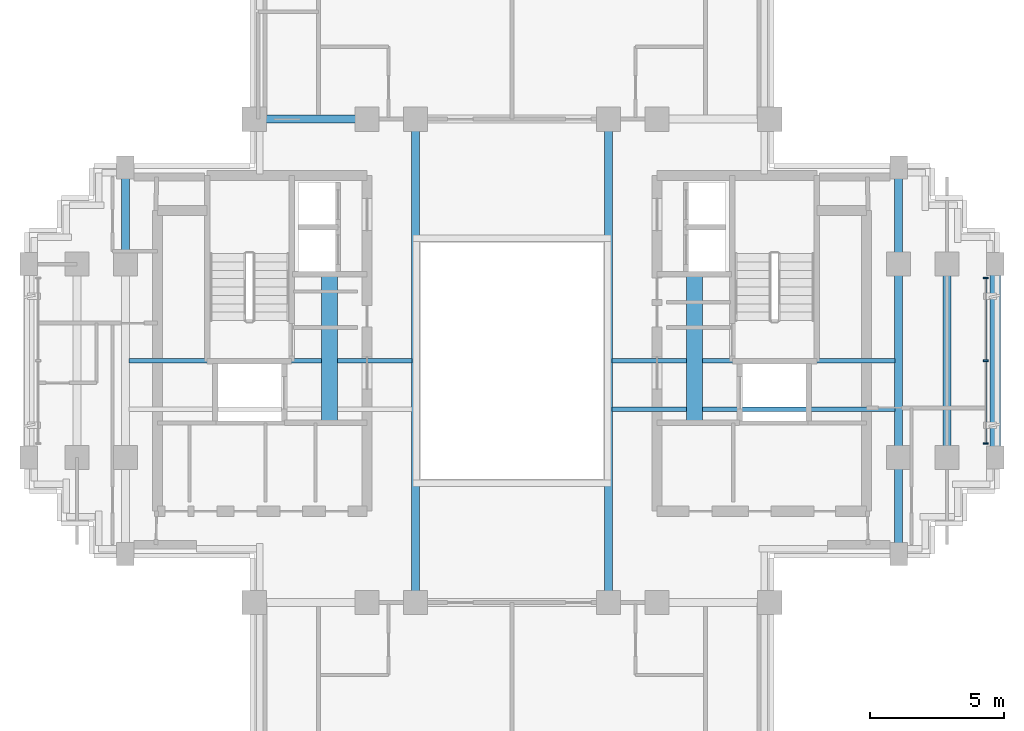
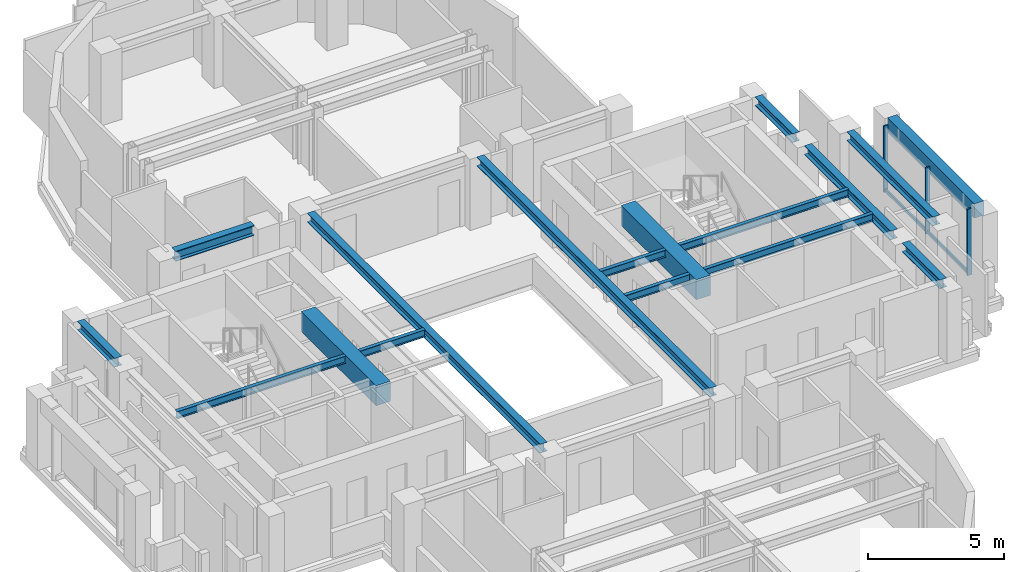
# One storey, part 3 of 12: 14 beams, 5 members, 1 element without a shape of its own.
"""IFC4 building model written with IfcOpenShell, lengths in metres."""

from ifc_helpers import new_model, si_unit, direction, frame, origin, origin_2d, place, context, subcontext, project, spatial, rectangle, i_section, extrude, source, transform, mapped, material, material_profile, profile_set, type_object, element, aggregate, save


model = new_model("IFC4")

# Units and contexts
model_context = context("Model", 3, precision=1e-05, world=origin(), true_north=direction((0.0, 1.0)))
body_context = subcontext(model_context, "Body", "Model", "MODEL_VIEW")
ifc_project = project(units=[si_unit("LENGTHUNIT", "METRE"), si_unit("AREAUNIT", "SQUARE_METRE"), si_unit("VOLUMEUNIT", "CUBIC_METRE"), si_unit("PLANEANGLEUNIT", "RADIAN"), si_unit("MASSUNIT", "GRAM", prefix="KILO")], contexts=[model_context])

# Site, building, storey
site_placement = place(None, origin())
site = spatial("IfcSite", under=ifc_project, at=site_placement, CompositionType="ELEMENT")
building_placement = place(site_placement, origin())
building = spatial("IfcBuilding", under=site, at=building_placement, Name="Keilestroom Media Tower", CompositionType="ELEMENT")
storey_placement = place(building_placement, frame((0.0, 0.0, 191.0)))
storey = spatial("IfcBuildingStorey", under=building, at=storey_placement, Name="L52", CompositionType="ELEMENT", Elevation=191.0)

# Beams
ifc_material_1 = material(Name="Concrete C70/85", Category="concrete")
ifc_material_profile_1 = material_profile(ifc_material_1, rectangle(XDim=0.60009765625, YDim=0.89990234375, at=origin_2d()), Name="RC 600x900")
ifc_profile_set_1 = profile_set([ifc_material_profile_1], Name="Concrete C70/85")
beam_type_1 = type_object("IfcBeamType", Name="Core-Coupling-Lintel-Beam-RC-600x900", PredefinedType="LINTEL", material=ifc_profile_set_1)
shared_shape_1 = source(origin(), body_context, "Body", "SweptSolid", [
    extrude(rectangle(XDim=0.60009765625, YDim=0.89990234375, at=origin_2d()), origin(), (0.0, 0.0, 1.0), 5.52001953125),
])
for number, where, z_axis, x_axis, name in (
    (1, (-6.800048828125, -2.300048828125, 2.75), (0.0, 1.0, 0.0), (-1.0, 0.0, 0.0), "L52 Beam CLB-1 CLB-L52-W"),
    (2, (6.800048828125, -2.300048828125, 2.75), (0.0, 1.0, 0.0), (-1.0, 0.0, 0.0), "L52 Beam CLB-1 CLB-L52-E"),
):
    element("IfcBeam", number, at=place(storey_placement, frame(where, z_axis=z_axis, x_axis=x_axis)), inside=storey, type_object=beam_type_1, Name=name, PredefinedType="LINTEL", context=body_context, shape_type="MappedRepresentation", body=[
        mapped(shared_shape_1, transform((0.0, 0.0, 0.0), x_axis=(1.0, 0.0, 0.0), y_axis=(0.0, 1.0, 0.0), z_axis=(0.0, 0.0, 1.0), scale=1.0)),
    ])
ifc_material_2 = material(Name="Steel S355", Category="steel")
ifc_material_profile_2 = material_profile(ifc_material_2, i_section(OverallWidth=0.300048828125, OverallDepth=0.449951171875, WebThickness=0.011962890625, FlangeThickness=0.02587890625, at=origin_2d()), Name="HEB 450")
ifc_profile_set_2 = profile_set([ifc_material_profile_2], Name="Steel S355")
beam_type_2 = type_object("IfcBeamType", Name="Primary-Structural-Girder-HEB-450", PredefinedType="BEAM", material=ifc_profile_set_2)
shared_shape_2 = source(origin(), body_context, "Body", "SweptSolid", [
    extrude(i_section(OverallWidth=0.300048828125, OverallDepth=0.449951171875, WebThickness=0.011962890625, FlangeThickness=0.02587890625, at=origin_2d()), origin(), (0.0, 0.0, 1.0), 3.33984375),
])
beam_1_placement = place(storey_placement, frame((-9.169921875, 9.0, 2.97509765625), z_axis=(1.0, 0.0, 0.0), x_axis=(0.0, 1.0, 0.0)))
element("IfcBeam", 3, at=beam_1_placement, inside=storey, type_object=beam_type_2, Name="L52 Beam BG-7 BM-L52-EW-020", PredefinedType="BEAM", context=body_context, shape_type="MappedRepresentation", body=[
    mapped(shared_shape_2, transform((0.0, 0.0, 0.0), x_axis=(1.0, 0.0, 0.0), y_axis=(0.0, 1.0, 0.0), z_axis=(0.0, 0.0, 1.0), scale=1.0)),
])
ifc_material_3 = material(Name="Precast concrete C40/50", Category="concrete")
ifc_material_profile_3 = material_profile(ifc_material_3, rectangle(XDim=0.39990234375, YDim=0.64990234375, at=origin_2d()), Name="PC 400x650")
ifc_profile_set_3 = profile_set([ifc_material_profile_3], Name="Precast concrete C40/50")
beam_type_3 = type_object("IfcBeamType", Name="Perimeter-Spandrel-Beam-PC-400x650", PredefinedType="SPANDREL", material=ifc_profile_set_3)
shared_shape_3 = source(origin(), body_context, "Body", "SweptSolid", [
    extrude(rectangle(XDim=0.39990234375, YDim=0.64990234375, at=origin_2d()), origin(), (0.0, 0.0, 1.0), 6.39013671875),
])
beam_2_placement = place(storey_placement, frame((18.0, -3.195068359375, 2.875), z_axis=(0.0, 1.0, 0.0), x_axis=(-1.0, 0.0, 0.0)))
element("IfcBeam", 4, at=beam_2_placement, inside=storey, type_object=beam_type_3, Name="L52 Beam SPB-2 BM-L52-NS-054", PredefinedType="SPANDREL", context=body_context, shape_type="MappedRepresentation", body=[
    mapped(shared_shape_3, transform((0.0, 0.0, 0.0), x_axis=(1.0, 0.0, 0.0), y_axis=(0.0, 1.0, 0.0), z_axis=(0.0, 0.0, 1.0), scale=1.0)),
])
ifc_material_profile_4 = material_profile(ifc_material_2, i_section(OverallWidth=0.300048828125, OverallDepth=0.39990234375, WebThickness=0.011474609375, FlangeThickness=0.02392578125, at=origin_2d()), Name="HEB 400")
ifc_profile_set_4 = profile_set([ifc_material_profile_4], Name="Steel S355")
beam_type_4 = type_object("IfcBeamType", Name="Primary-Structural-Girder-HEB-400", PredefinedType="BEAM", material=ifc_profile_set_4)
shared_shape_4 = source(origin(), body_context, "Body", "SweptSolid", [
    extrude(i_section(OverallWidth=0.300048828125, OverallDepth=0.39990234375, WebThickness=0.011474609375, FlangeThickness=0.02392578125, at=origin_2d()), origin(), (0.0, 0.0, 1.0), 6.33984375),
])
for number, where, z_axis, x_axis, name in (
    (5, (14.39990234375, -3.169921875, 3.0), (0.0, 1.0, 0.0), (-1.0, 0.0, 0.0), "L52 Beam BG-8 BM-L52-NS-051"),
    (6, (16.199951171875, -3.169921875, 3.0), (0.0, 1.0, 0.0), (-1.0, 0.0, 0.0), "L52 Beam BG-8 BM-L52-NS-053"),
):
    element("IfcBeam", number, at=place(storey_placement, frame(where, z_axis=z_axis, x_axis=x_axis)), inside=storey, type_object=beam_type_4, Name=name, PredefinedType="BEAM", context=body_context, shape_type="MappedRepresentation", body=[
        mapped(shared_shape_4, transform((0.0, 0.0, 0.0), x_axis=(1.0, 0.0, 0.0), y_axis=(0.0, 1.0, 0.0), z_axis=(0.0, 0.0, 1.0), scale=1.0)),
    ])
shared_shape_5 = source(origin(), body_context, "Body", "SweptSolid", [
    extrude(i_section(OverallWidth=0.300048828125, OverallDepth=0.39990234375, WebThickness=0.011474609375, FlangeThickness=0.02392578125, at=origin_2d()), origin(), (0.0, 0.0, 1.0), 2.764892578125),
])
for number, where, z_axis, x_axis, name in (
    (7, (-14.39990234375, 4.030029296875, 3.0), (0.0, 1.0, 0.0), (-1.0, 0.0, 0.0), "L52 Beam BG-8 BM-L52-NS-035"),
    (8, (14.39990234375, -6.794921875, 3.0), (0.0, 1.0, 0.0), (-1.0, 0.0, 0.0), "L52 Beam BG-8 BM-L52-NS-050"),
    (9, (14.39990234375, 4.030029296875, 3.0), (0.0, 1.0, 0.0), (-1.0, 0.0, 0.0), "L52 Beam BG-8 BM-L52-NS-052"),
):
    element("IfcBeam", number, at=place(storey_placement, frame(where, z_axis=z_axis, x_axis=x_axis)), inside=storey, type_object=beam_type_4, Name=name, PredefinedType="BEAM", context=body_context, shape_type="MappedRepresentation", body=[
        mapped(shared_shape_5, transform((0.0, 0.0, 0.0), x_axis=(1.0, 0.0, 0.0), y_axis=(0.0, 1.0, 0.0), z_axis=(0.0, 0.0, 1.0), scale=1.0)),
    ])
shared_shape_6 = source(origin(), body_context, "Body", "SweptSolid", [
    extrude(i_section(OverallWidth=0.300048828125, OverallDepth=0.39990234375, WebThickness=0.011474609375, FlangeThickness=0.02392578125, at=origin_2d()), origin(), (0.0, 0.0, 1.0), 17.14013671875),
])
for number, where, z_axis, x_axis, name in (
    (10, (-3.60009765625, -8.570068359375, 3.0), (0.0, 1.0, 0.0), (-1.0, 0.0, 0.0), "L52 Beam BG-8 BM-L52-NS-040"),
    (11, (3.60009765625, -8.570068359375, 3.0), (0.0, 1.0, 0.0), (-1.0, 0.0, 0.0), "L52 Beam BG-8 BM-L52-NS-045"),
):
    element("IfcBeam", number, at=place(storey_placement, frame(where, z_axis=z_axis, x_axis=x_axis)), inside=storey, type_object=beam_type_4, Name=name, PredefinedType="BEAM", context=body_context, shape_type="MappedRepresentation", body=[
        mapped(shared_shape_6, transform((0.0, 0.0, 0.0), x_axis=(1.0, 0.0, 0.0), y_axis=(0.0, 1.0, 0.0), z_axis=(0.0, 0.0, 1.0), scale=1.0)),
    ])
ifc_material_profile_5 = material_profile(ifc_material_2, i_section(OverallWidth=0.159912109375, OverallDepth=0.330078125, WebThickness=0.007568359375, FlangeThickness=0.011474609375, at=origin_2d()), Name="IPE 330")
ifc_profile_set_5 = profile_set([ifc_material_profile_5], Name="Steel S355")
beam_type_5 = type_object("IfcBeamType", Name="Secondary-Floor-Joist-IPE-330", PredefinedType="JOIST", material=ifc_profile_set_5)
shared_shape_7 = source(origin(), body_context, "Body", "SweptSolid", [
    extrude(i_section(OverallWidth=0.159912109375, OverallDepth=0.330078125, WebThickness=0.007568359375, FlangeThickness=0.011474609375, at=origin_2d()), origin(), (0.0, 0.0, 1.0), 10.5400390625),
])
for number, where, z_axis, x_axis, name in (
    (12, (3.72998046875, -1.800048828125, 3.034912109375), (1.0, 0.0, 0.0), (0.0, 1.0, 0.0), "L52 Beam BJ-6 JST-L52-059"),
    (13, (-14.27001953125, 0.0, 3.034912109375), (1.0, 0.0, 0.0), (0.0, 1.0, 0.0), "L52 Beam BJ-6 JST-L52-060"),
    (14, (3.72998046875, 0.0, 3.034912109375), (1.0, 0.0, 0.0), (0.0, 1.0, 0.0), "L52 Beam BJ-6 JST-L52-062"),
):
    element("IfcBeam", number, at=place(storey_placement, frame(where, z_axis=z_axis, x_axis=x_axis)), inside=storey, type_object=beam_type_5, Name=name, PredefinedType="JOIST", context=body_context, shape_type="MappedRepresentation", body=[
        mapped(shared_shape_7, transform((0.0, 0.0, 0.0), x_axis=(1.0, 0.0, 0.0), y_axis=(0.0, 1.0, 0.0), z_axis=(0.0, 0.0, 1.0), scale=1.0)),
    ])

# Curtain wall, members
ifc_material_4 = material(Name="Anodised Aluminium Alloy", Category="aluminium")
curtain_wall_type = type_object("IfcCurtainWallType", Name="Unitised-Curtain-Wall-CW-3", PredefinedType="NOTDEFINED", material=ifc_material_4)
curtain_wall_placement = place(storey_placement, origin())
curtain_wall = element("IfcCurtainWall", 15, at=curtain_wall_placement, inside=storey, type_object=curtain_wall_type, Name="L52 Curtain Wall CW-3 CW-L52-E-1", PredefinedType="NOTDEFINED")
ifc_material_profile_6 = material_profile(ifc_material_4, rectangle(XDim=0.06494140625, YDim=0.179931640625, at=origin_2d()), Name="ALU MULLION 65x180")
ifc_profile_set_6 = profile_set([ifc_material_profile_6], Name="Anodised Aluminium Alloy")
member_type_1 = type_object("IfcMemberType", Name="Curtain-Wall-Mullion-CW-3", PredefinedType="MULLION", material=ifc_profile_set_6)
shared_shape_8 = source(origin(), body_context, "Body", "SweptSolid", [
    extrude(rectangle(XDim=0.06494140625, YDim=0.179931640625, at=origin_2d()), origin(), (0.0, 0.0, 1.0), 2.97998046875),
])
member_1_placement = place(storey_placement, frame((17.64990234375, -3.08251953125, 0.0), z_axis=(0.0, 0.0, 1.0), x_axis=(0.0, 1.0, 0.0)))
member_1 = element("IfcMember", 16, at=member_1_placement, type_object=member_type_1, Name="CW-3 Mullion 00", PredefinedType="MULLION", context=body_context, shape_type="MappedRepresentation", body=[
    mapped(shared_shape_8, transform((0.0, 0.0, 0.0), x_axis=(1.0, 0.0, 0.0), y_axis=(0.0, 1.0, 0.0), z_axis=(0.0, 0.0, 1.0), scale=1.0)),
])
member_2_placement = place(storey_placement, frame((17.64990234375, 0.0, 0.0), z_axis=(0.0, 0.0, 1.0), x_axis=(0.0, 1.0, 0.0)))
member_2 = element("IfcMember", 17, at=member_2_placement, type_object=member_type_1, Name="CW-3 Mullion 01", PredefinedType="MULLION", context=body_context, shape_type="MappedRepresentation", body=[
    mapped(shared_shape_8, transform((0.0, 0.0, 0.0), x_axis=(1.0, 0.0, 0.0), y_axis=(0.0, 1.0, 0.0), z_axis=(0.0, 0.0, 1.0), scale=1.0)),
])
member_3_placement = place(storey_placement, frame((17.64990234375, 3.08251953125, 0.0), z_axis=(0.0, 0.0, 1.0), x_axis=(0.0, 1.0, 0.0)))
member_3 = element("IfcMember", 18, at=member_3_placement, type_object=member_type_1, Name="CW-3 Mullion 02", PredefinedType="MULLION", context=body_context, shape_type="MappedRepresentation", body=[
    mapped(shared_shape_8, transform((0.0, 0.0, 0.0), x_axis=(1.0, 0.0, 0.0), y_axis=(0.0, 1.0, 0.0), z_axis=(0.0, 0.0, 1.0), scale=1.0)),
])
ifc_material_profile_7 = material_profile(ifc_material_4, rectangle(XDim=0.06494140625, YDim=0.14990234375, at=origin_2d()), Name="ALU TRANSOM 65x150")
ifc_profile_set_7 = profile_set([ifc_material_profile_7], Name="Anodised Aluminium Alloy")
member_type_2 = type_object("IfcMemberType", Name="Curtain-Wall-Transom-CW-3", PredefinedType="USERDEFINED", material=ifc_profile_set_7)
shared_shape_9 = source(origin(), body_context, "Body", "SweptSolid", [
    extrude(rectangle(XDim=0.06494140625, YDim=0.14990234375, at=origin_2d()), origin(), (0.0, 0.0, 1.0), 3.021484375),
])
member_4_placement = place(storey_placement, frame((17.64990234375, -3.052001953125, 0.074951171875), z_axis=(0.0, 1.0, 0.0), x_axis=(-1.0, 0.0, 0.0)))
member_4 = element("IfcMember", 19, at=member_4_placement, type_object=member_type_2, Name="CW-3 Transom 00.1", ObjectType="TRANSOM", PredefinedType="USERDEFINED", context=body_context, shape_type="MappedRepresentation", body=[
    mapped(shared_shape_9, transform((0.0, 0.0, 0.0), x_axis=(1.0, 0.0, 0.0), y_axis=(0.0, 1.0, 0.0), z_axis=(0.0, 0.0, 1.0), scale=1.0)),
])
member_5_placement = place(storey_placement, frame((17.64990234375, 0.030517578125, 0.074951171875), z_axis=(0.0, 1.0, 0.0), x_axis=(-1.0, 0.0, 0.0)))
member_5 = element("IfcMember", 20, at=member_5_placement, type_object=member_type_2, Name="CW-3 Transom 01.1", ObjectType="TRANSOM", PredefinedType="USERDEFINED", context=body_context, shape_type="MappedRepresentation", body=[
    mapped(shared_shape_9, transform((0.0, 0.0, 0.0), x_axis=(1.0, 0.0, 0.0), y_axis=(0.0, 1.0, 0.0), z_axis=(0.0, 0.0, 1.0), scale=1.0)),
])
aggregate(curtain_wall, [member_1, member_2, member_3, member_4, member_5])

save(model, "model.ifc")
